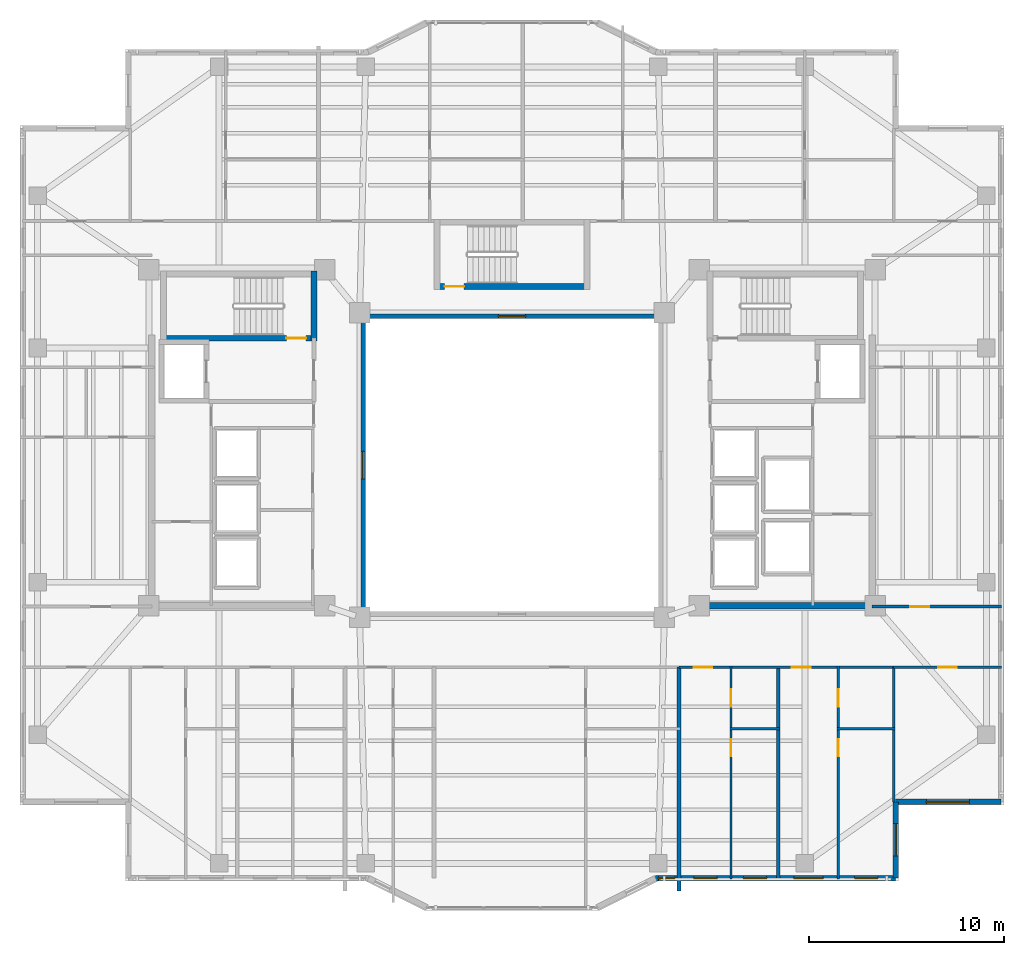
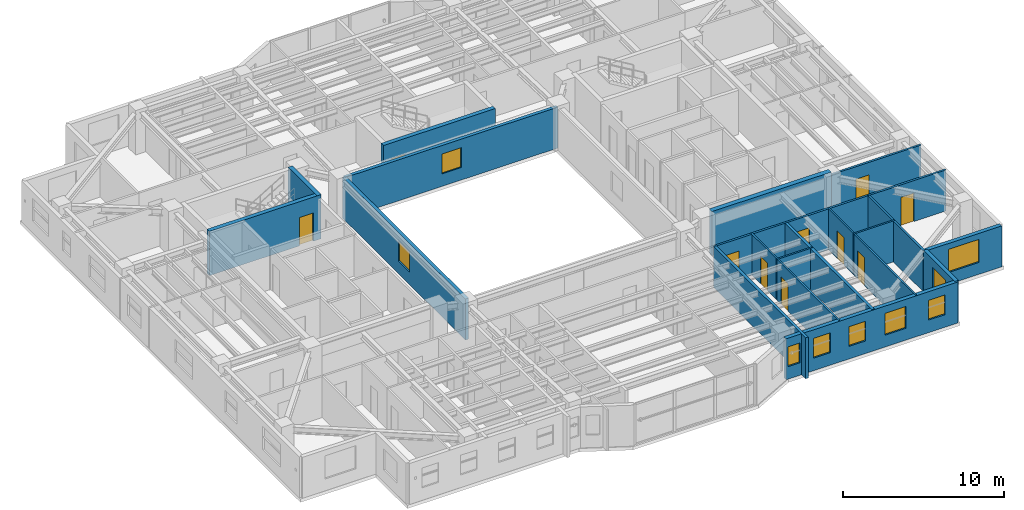
# One storey, part 8 of 16: 21 walls, 10 doors, 9 windows, 19 openings.
"""IFC4 building model written with IfcOpenShell, lengths in metres."""

from ifc_helpers import new_model, si_unit, direction, frame, frame_2d, origin, place, context, subcontext, project, spatial, rectangle, extrude, material, layer, layer_set, type_object, element, fill, save


model = new_model("IFC4")

# Units and contexts
model_context = context("Model", 3, precision=1e-05, world=origin(), true_north=direction((0.0, 1.0)))
body_context = subcontext(model_context, "Body", "Model", "MODEL_VIEW")
ifc_project = project(units=[si_unit("LENGTHUNIT", "METRE"), si_unit("AREAUNIT", "SQUARE_METRE"), si_unit("VOLUMEUNIT", "CUBIC_METRE"), si_unit("PLANEANGLEUNIT", "RADIAN"), si_unit("MASSUNIT", "GRAM", prefix="KILO")], contexts=[model_context])

# Site, building, storey
site_placement = place(None, origin())
site = spatial("IfcSite", under=ifc_project, at=site_placement, CompositionType="ELEMENT")
building_placement = place(site_placement, origin())
building = spatial("IfcBuilding", under=site, at=building_placement, Name="Tarnavaz Court Tower", CompositionType="ELEMENT")
storey_placement = place(building_placement, frame((0.0, 0.0, 166.10009765625)))
storey = spatial("IfcBuildingStorey", under=building, at=storey_placement, Name="L45", CompositionType="ELEMENT", Elevation=166.10009765625)

# Wall, opening, door
ifc_material_1 = material(Name="Concrete C50/60", Category="concrete")
ifc_layer_1 = layer(ifc_material_1, 0.300048828125)
ifc_layer_set_1 = layer_set([ifc_layer_1], Name="Concrete C50/60")
wall_type_1 = type_object("IfcWallType", Name="WL-CORE-300-C50", PredefinedType="SHEAR", material=ifc_layer_set_1)
wall_1_placement = place(storey_placement, frame((-18.0, 6.5, 0.0), z_axis=(0.0, 0.0, 1.0), x_axis=(1.0, 0.0, 0.0)))
wall_1 = element("IfcWall", 1, at=wall_1_placement, inside=storey, type_object=wall_type_1, Name="L45 West Stair Core Wall 002", PredefinedType="SHEAR", context=body_context, shape_type="SweptSolid", body=[
    extrude(rectangle(XDim=8.0, YDim=0.300048828125, at=frame_2d((4.0, 0.0))), origin(), (0.0, 0.0, 1.0), 3.349853515625),
])
opening_1_placement = place(wall_1_placement, frame((6.449951171875, 0.0, 0.0)))
opening_1 = element("IfcOpeningElement", 2, at=opening_1_placement, cuts=wall_1, Name="Opening D01", PredefinedType="OPENING", context=body_context, shape_type="SweptSolid", body=[
    extrude(rectangle(XDim=1.0, YDim=2.14990234375, at=frame_2d((0.5, 1.074951171875))), frame((0.0, 0.159912109375, 0.0), z_axis=(0.0, -1.0, 0.0), x_axis=(1.0, 0.0, 0.0)), (0.0, 0.0, 1.0), 0.320068359375),
])
ifc_material_2 = material(Name="Fire-Rated Hardwood Timber Core", Category="wood")
door_type_1 = type_object("IfcDoorType", Name="DR-FD90-1000", OperationType="NOTDEFINED", PredefinedType="DOOR", material=ifc_material_2)
door_1_placement = place(opening_1_placement, origin())
door_1 = element("IfcDoor", 3, at=door_1_placement, inside=storey, type_object=door_type_1, Name="L45 Stair ST-W1 Exit Door", OperationType="SINGLE_SWING_LEFT", OverallHeight=2.14990234375, OverallWidth=1.0, PredefinedType="DOOR", context=body_context, shape_type="SweptSolid", body=[
    extrude(rectangle(XDim=1.0, YDim=2.14990234375, at=frame_2d((0.5, 1.074951171875))), frame((0.0, 0.02490234375, 0.0), z_axis=(0.0, -1.0, 0.0), x_axis=(1.0, 0.0, 0.0)), (0.0, 0.0, 1.0), 0.050048828125),
])
fill(opening_1, door_1)

# Wall
wall_2_placement = place(storey_placement, frame((-10.14990234375, 6.35009765625, 0.0), z_axis=(0.0, 0.0, 1.0), x_axis=(0.0, 1.0, 0.0)))
element("IfcWall", 4, at=wall_2_placement, inside=storey, type_object=wall_type_1, Name="L45 West Stair Core Wall 004", PredefinedType="SHEAR", context=body_context, shape_type="SweptSolid", body=[
    extrude(rectangle(XDim=3.58984375, YDim=0.300048828125, at=frame_2d((1.794921875, 0.0))), origin(), (0.0, 0.0, 1.0), 3.349853515625),
])

# Wall, opening, door
wall_3_placement = place(storey_placement, frame((-4.0, 9.14990234375, 0.0), z_axis=(0.0, 0.0, 1.0), x_axis=(1.0, 0.0, 0.0)))
wall_3 = element("IfcWall", 5, at=wall_3_placement, inside=storey, type_object=wall_type_1, Name="L45 North Stair Core Wall 010", PredefinedType="SHEAR", context=body_context, shape_type="SweptSolid", body=[
    extrude(rectangle(XDim=8.0, YDim=0.300048828125, at=frame_2d((4.0, 0.0))), origin(), (0.0, 0.0, 1.0), 3.349853515625),
])
opening_2_placement = place(wall_3_placement, frame((0.550048828125, 0.0, 0.0)))
opening_2 = element("IfcOpeningElement", 6, at=opening_2_placement, cuts=wall_3, Name="Opening D01", PredefinedType="OPENING", context=body_context, shape_type="SweptSolid", body=[
    extrude(rectangle(XDim=1.0, YDim=2.14990234375, at=frame_2d((0.5, 1.074951171875))), frame((0.0, 0.159912109375, 0.0), z_axis=(0.0, -1.0, 0.0), x_axis=(1.0, 0.0, 0.0)), (0.0, 0.0, 1.0), 0.320068359375),
])
door_2_placement = place(opening_2_placement, origin())
door_2 = element("IfcDoor", 7, at=door_2_placement, inside=storey, type_object=door_type_1, Name="L45 Stair ST-N1 Exit Door", OperationType="SINGLE_SWING_LEFT", OverallHeight=2.14990234375, OverallWidth=1.0, PredefinedType="DOOR", context=body_context, shape_type="SweptSolid", body=[
    extrude(rectangle(XDim=1.0, YDim=2.14990234375, at=frame_2d((0.5, 1.074951171875))), frame((0.0, 0.02490234375, 0.0), z_axis=(0.0, -1.0, 0.0), x_axis=(1.0, 0.0, 0.0)), (0.0, 0.0, 1.0), 0.050048828125),
])
fill(opening_2, door_2)

# Wall
ifc_layer_2 = layer(ifc_material_1, 0.35009765625)
ifc_layer_set_2 = layer_set([ifc_layer_2], Name="Concrete C50/60")
wall_type_2 = type_object("IfcWallType", Name="WL-CORE-350-C50", PredefinedType="SHEAR", material=ifc_layer_set_2)
wall_4_placement = place(storey_placement, frame((10.074951171875, -7.199951171875, 0.0), z_axis=(0.0, 0.0, 1.0), x_axis=(1.0, 0.0, 0.0)))
element("IfcWall", 8, at=wall_4_placement, inside=storey, type_object=wall_type_2, Name="L45 East Core South Shear Wall 060", PredefinedType="SHEAR", context=body_context, shape_type="SweptSolid", body=[
    extrude(rectangle(XDim=8.550048828125, YDim=0.35009765625, at=frame_2d((4.27490234375, 0.0))), origin(), (0.0, 0.0, 1.0), 3.349853515625),
])

# Wall, opening, window
ifc_material_3 = material(Name="Precast Concrete C40/50", Category="concrete")
ifc_layer_3 = layer(ifc_material_3, 0.280029296875)
ifc_layer_set_3 = layer_set([ifc_layer_3], Name="Precast Concrete C40/50")
wall_type_3 = type_object("IfcWallType", Name="WL-EXT-280", PredefinedType="SOLIDWALL", material=ifc_layer_set_3)
wall_5_placement = place(storey_placement, frame((25.050048828125, -17.25, 0.0), z_axis=(0.0, 0.0, 1.0), x_axis=(-1.0, 0.0, 0.0)))
wall_5 = element("IfcWall", 9, at=wall_5_placement, inside=storey, type_object=wall_type_3, Name="L45 Exterior Terracotta Facade Wall 13", PredefinedType="SOLIDWALL", context=body_context, shape_type="SweptSolid", body=[
    extrude(rectangle(XDim=5.400146484375, YDim=0.280029296875, at=frame_2d((2.7001953125, 0.0))), origin(), (0.0, 0.0, 1.0), 3.099853515625),
])
opening_3_placement = place(wall_5_placement, frame((1.625, 0.0, 0.89990234375)))
opening_3 = element("IfcOpeningElement", 10, at=opening_3_placement, cuts=wall_5, Name="Opening W07", PredefinedType="OPENING", context=body_context, shape_type="SweptSolid", body=[
    extrude(rectangle(XDim=2.199951171875, YDim=1.75, at=frame_2d((1.10009765625, 0.875))), frame((0.0, 0.14990234375, 0.0), z_axis=(0.0, -1.0, 0.0), x_axis=(1.0, 0.0, 0.0)), (0.0, 0.0, 1.0), 0.300048828125),
])
ifc_material_4 = material(Name="Double-Glazed Solar Low-E Glass", Category="glass")
window_type_1 = type_object("IfcWindowType", Name="WN-APT-2200", PartitioningType="TRIPLE_PANEL_VERTICAL", PredefinedType="WINDOW", material=ifc_material_4)
window_1_placement = place(opening_3_placement, origin())
window_1 = element("IfcWindow", 11, at=window_1_placement, inside=storey, type_object=window_type_1, Name="L45 South-East Corner Reading Room Window", OverallHeight=1.75, OverallWidth=2.199951171875, PartitioningType="SINGLE_PANEL", PredefinedType="WINDOW", context=body_context, shape_type="SweptSolid", body=[
    extrude(rectangle(XDim=2.199951171875, YDim=1.75, at=frame_2d((1.10009765625, 0.875))), frame((0.0, 0.030029296875, 0.0), z_axis=(0.0, -1.0, 0.0), x_axis=(1.0, 0.0, 0.0)), (0.0, 0.0, 1.0), 0.06005859375),
])
fill(opening_3, window_1)

wall_6_placement = place(storey_placement, frame((19.64990234375, -17.25, 0.0), z_axis=(0.0, 0.0, 1.0), x_axis=(0.0, -1.0, 0.0)))
wall_6 = element("IfcWall", 12, at=wall_6_placement, inside=storey, type_object=wall_type_3, Name="L45 Exterior Terracotta Facade Wall 14", PredefinedType="SOLIDWALL", context=body_context, shape_type="SweptSolid", body=[
    extrude(rectangle(XDim=3.89990234375, YDim=0.280029296875, at=frame_2d((1.949951171875, 0.0))), origin(), (0.0, 0.0, 1.0), 3.099853515625),
])
opening_4_placement = place(wall_6_placement, frame((1.107177734375, 0.0, 0.89990234375)))
opening_4 = element("IfcOpeningElement", 13, at=opening_4_placement, cuts=wall_6, Name="Opening W02", PredefinedType="OPENING", context=body_context, shape_type="SweptSolid", body=[
    extrude(rectangle(XDim=1.64990234375, YDim=1.60009765625, at=frame_2d((0.824951171875, 0.800048828125))), frame((0.0, 0.14990234375, 0.0), z_axis=(0.0, -1.0, 0.0), x_axis=(1.0, 0.0, 0.0)), (0.0, 0.0, 1.0), 0.300048828125),
])
window_type_2 = type_object("IfcWindowType", Name="WN-APT-1650", PartitioningType="DOUBLE_PANEL_VERTICAL", PredefinedType="WINDOW", material=ifc_material_4)
window_2_placement = place(opening_4_placement, origin())
window_2 = element("IfcWindow", 14, at=window_2_placement, inside=storey, type_object=window_type_2, Name="L45 Flat 08 Kitchen Window", OverallHeight=1.60009765625, OverallWidth=1.64990234375, PartitioningType="SINGLE_PANEL", PredefinedType="WINDOW", context=body_context, shape_type="SweptSolid", body=[
    extrude(rectangle(XDim=1.64990234375, YDim=1.60009765625, at=frame_2d((0.824951171875, 0.800048828125))), frame((0.0, 0.030029296875, 0.0), z_axis=(0.0, -1.0, 0.0), x_axis=(1.0, 0.0, 0.0)), (0.0, 0.0, 1.0), 0.06005859375),
])
fill(opening_4, window_2)

# Wall, openings, windows
wall_7_placement = place(storey_placement, frame((19.64990234375, -21.14990234375, 0.0), z_axis=(0.0, 0.0, 1.0), x_axis=(-1.0, 0.0, 0.0)))
wall_7 = element("IfcWall", 15, at=wall_7_placement, inside=storey, type_object=wall_type_3, Name="L45 Exterior Terracotta Facade Wall 15", PredefinedType="SOLIDWALL", context=body_context, shape_type="SweptSolid", body=[
    extrude(rectangle(XDim=12.2998046875, YDim=0.280029296875, at=frame_2d((6.14990234375, 0.0))), origin(), (0.0, 0.0, 1.0), 3.099853515625),
])
opening_5_placement = place(wall_7_placement, frame((0.906005859375, 0.0, 0.949951171875)))
opening_5 = element("IfcOpeningElement", 16, at=opening_5_placement, cuts=wall_7, Name="Opening W05", PredefinedType="OPENING", context=body_context, shape_type="SweptSolid", body=[
    extrude(rectangle(XDim=1.199951171875, YDim=1.5, at=frame_2d((0.60009765625, 0.75))), frame((0.0, 0.14990234375, 0.0), z_axis=(0.0, -1.0, 0.0), x_axis=(1.0, 0.0, 0.0)), (0.0, 0.0, 1.0), 0.300048828125),
])
opening_6_placement = place(wall_7_placement, frame((3.71826171875, 0.0, 0.89990234375)))
opening_6 = element("IfcOpeningElement", 17, at=opening_6_placement, cuts=wall_7, Name="Opening W03", PredefinedType="OPENING", context=body_context, shape_type="SweptSolid", body=[
    extrude(rectangle(XDim=1.5, YDim=1.64990234375, at=frame_2d((0.75, 0.824951171875))), frame((0.0, 0.14990234375, 0.0), z_axis=(0.0, -1.0, 0.0), x_axis=(1.0, 0.0, 0.0)), (0.0, 0.0, 1.0), 0.300048828125),
])
opening_7_placement = place(wall_7_placement, frame((6.604248046875, 0.0, 0.949951171875)))
opening_7 = element("IfcOpeningElement", 18, at=opening_7_placement, cuts=wall_7, Name="Opening W05", PredefinedType="OPENING", context=body_context, shape_type="SweptSolid", body=[
    extrude(rectangle(XDim=1.199951171875, YDim=1.5, at=frame_2d((0.60009765625, 0.75))), frame((0.0, 0.14990234375, 0.0), z_axis=(0.0, -1.0, 0.0), x_axis=(1.0, 0.0, 0.0)), (0.0, 0.0, 1.0), 0.300048828125),
])
opening_8_placement = place(wall_7_placement, frame((9.1396484375, 0.0, 0.949951171875)))
opening_8 = element("IfcOpeningElement", 19, at=opening_8_placement, cuts=wall_7, Name="Opening W05", PredefinedType="OPENING", context=body_context, shape_type="SweptSolid", body=[
    extrude(rectangle(XDim=1.199951171875, YDim=1.5, at=frame_2d((0.60009765625, 0.75))), frame((0.0, 0.14990234375, 0.0), z_axis=(0.0, -1.0, 0.0), x_axis=(1.0, 0.0, 0.0)), (0.0, 0.0, 1.0), 0.300048828125),
])
opening_9_placement = place(wall_7_placement, frame((11.302978515625, 0.0, 0.949951171875)))
opening_9 = element("IfcOpeningElement", 20, at=opening_9_placement, cuts=wall_7, Name="Opening W15", PredefinedType="OPENING", context=body_context, shape_type="SweptSolid", body=[
    extrude(rectangle(XDim=0.85009765625, YDim=1.5, at=frame_2d((0.425048828125, 0.75))), frame((0.0, 0.14990234375, 0.0), z_axis=(0.0, -1.0, 0.0), x_axis=(1.0, 0.0, 0.0)), (0.0, 0.0, 1.0), 0.300048828125),
])
window_type_3 = type_object("IfcWindowType", Name="WN-APT-1200", PartitioningType="SINGLE_PANEL", PredefinedType="WINDOW", material=ifc_material_4)
window_3_placement = place(opening_5_placement, origin())
window_3 = element("IfcWindow", 21, at=window_3_placement, inside=storey, type_object=window_type_3, Name="L45 Flat 08 Kitchen Window", OverallHeight=1.5, OverallWidth=1.199951171875, PartitioningType="SINGLE_PANEL", PredefinedType="WINDOW", context=body_context, shape_type="SweptSolid", body=[
    extrude(rectangle(XDim=1.199951171875, YDim=1.5, at=frame_2d((0.60009765625, 0.75))), frame((0.0, 0.030029296875, 0.0), z_axis=(0.0, -1.0, 0.0), x_axis=(1.0, 0.0, 0.0)), (0.0, 0.0, 1.0), 0.06005859375),
])
fill(opening_5, window_3)
window_4_placement = place(opening_7_placement, origin())
window_4 = element("IfcWindow", 22, at=window_4_placement, inside=storey, type_object=window_type_3, Name="L45 Flat 07 Kitchen Window", OverallHeight=1.5, OverallWidth=1.199951171875, PartitioningType="SINGLE_PANEL", PredefinedType="WINDOW", context=body_context, shape_type="SweptSolid", body=[
    extrude(rectangle(XDim=1.199951171875, YDim=1.5, at=frame_2d((0.60009765625, 0.75))), frame((0.0, 0.030029296875, 0.0), z_axis=(0.0, -1.0, 0.0), x_axis=(1.0, 0.0, 0.0)), (0.0, 0.0, 1.0), 0.06005859375),
])
fill(opening_7, window_4)
window_5_placement = place(opening_8_placement, origin())
window_5 = element("IfcWindow", 23, at=window_5_placement, inside=storey, type_object=window_type_3, Name="L45 Flat 07 Studio Living and Sleeping Room Window", OverallHeight=1.5, OverallWidth=1.199951171875, PartitioningType="SINGLE_PANEL", PredefinedType="WINDOW", context=body_context, shape_type="SweptSolid", body=[
    extrude(rectangle(XDim=1.199951171875, YDim=1.5, at=frame_2d((0.60009765625, 0.75))), frame((0.0, 0.030029296875, 0.0), z_axis=(0.0, -1.0, 0.0), x_axis=(1.0, 0.0, 0.0)), (0.0, 0.0, 1.0), 0.06005859375),
])
fill(opening_8, window_5)
window_type_4 = type_object("IfcWindowType", Name="WN-APT-1500", PartitioningType="DOUBLE_PANEL_VERTICAL", PredefinedType="WINDOW", material=ifc_material_4)
window_6_placement = place(opening_6_placement, origin())
window_6 = element("IfcWindow", 24, at=window_6_placement, inside=storey, type_object=window_type_4, Name="L45 Flat 08 Studio Living and Sleeping Room Window", OverallHeight=1.64990234375, OverallWidth=1.5, PartitioningType="SINGLE_PANEL", PredefinedType="WINDOW", context=body_context, shape_type="SweptSolid", body=[
    extrude(rectangle(XDim=1.5, YDim=1.64990234375, at=frame_2d((0.75, 0.824951171875))), frame((0.0, 0.030029296875, 0.0), z_axis=(0.0, -1.0, 0.0), x_axis=(1.0, 0.0, 0.0)), (0.0, 0.0, 1.0), 0.06005859375),
])
fill(opening_6, window_6)
window_type_5 = type_object("IfcWindowType", Name="WN-APT-850", PartitioningType="SINGLE_PANEL", PredefinedType="WINDOW", material=ifc_material_4)
window_7_placement = place(opening_9_placement, origin())
window_7 = element("IfcWindow", 25, at=window_7_placement, inside=storey, type_object=window_type_5, Name="L45 Flat 10 Kitchen Window", OverallHeight=1.5, OverallWidth=0.85009765625, PartitioningType="SINGLE_PANEL", PredefinedType="WINDOW", context=body_context, shape_type="SweptSolid", body=[
    extrude(rectangle(XDim=0.85009765625, YDim=1.5, at=frame_2d((0.425048828125, 0.75))), frame((0.0, 0.030029296875, 0.0), z_axis=(0.0, -1.0, 0.0), x_axis=(1.0, 0.0, 0.0)), (0.0, 0.0, 1.0), 0.06005859375),
])
fill(opening_9, window_7)

# Wall, openings, doors
ifc_material_5 = material(Name="Gypsum Fire-Board on Acoustic Metal Stud", Category="masonry")
ifc_layer_4 = layer(ifc_material_5, 0.14990234375)
ifc_layer_set_4 = layer_set([ifc_layer_4], Name="Gypsum Fire-Board on Acoustic Metal Stud")
wall_type_4 = type_object("IfcWallType", Name="WL-FIRE-150", PredefinedType="PARTITIONING", material=ifc_layer_set_4)
wall_8_placement = place(storey_placement, frame((8.550048828125, -10.35009765625, 0.0), z_axis=(0.0, 0.0, 1.0), x_axis=(1.0, 0.0, 0.0)))
wall_8 = element("IfcWall", 26, at=wall_8_placement, inside=storey, type_object=wall_type_4, Name="L45 SE Horseshoe Wall 074", PredefinedType="PARTITIONING", context=body_context, shape_type="SweptSolid", body=[
    extrude(rectangle(XDim=11.0, YDim=0.14990234375, at=frame_2d((5.5, 0.0))), origin(), (0.0, 0.0, 1.0), 3.099853515625),
])
opening_10_placement = place(wall_8_placement, frame((0.75, 0.0, 0.0)))
opening_10 = element("IfcOpeningElement", 27, at=opening_10_placement, cuts=wall_8, Name="Opening D06", PredefinedType="OPENING", context=body_context, shape_type="SweptSolid", body=[
    extrude(rectangle(XDim=0.9599609375, YDim=2.14990234375, at=frame_2d((0.47998046875, 1.074951171875))), frame((0.0, 0.0849609375, 0.0), z_axis=(0.0, -1.0, 0.0), x_axis=(1.0, 0.0, 0.0)), (0.0, 0.0, 1.0), 0.169921875),
])
opening_11_placement = place(wall_8_placement, frame((5.787109375, 0.0, 0.0)))
opening_11 = element("IfcOpeningElement", 28, at=opening_11_placement, cuts=wall_8, Name="Opening D06", PredefinedType="OPENING", context=body_context, shape_type="SweptSolid", body=[
    extrude(rectangle(XDim=0.9599609375, YDim=2.14990234375, at=frame_2d((0.47998046875, 1.074951171875))), frame((0.0, 0.0849609375, 0.0), z_axis=(0.0, -1.0, 0.0), x_axis=(1.0, 0.0, 0.0)), (0.0, 0.0, 1.0), 0.169921875),
])
door_type_2 = type_object("IfcDoorType", Name="DR-FD60-950", OperationType="NOTDEFINED", PredefinedType="DOOR", material=ifc_material_2)
door_3_placement = place(opening_10_placement, origin())
door_3 = element("IfcDoor", 29, at=door_3_placement, inside=storey, type_object=door_type_2, Name="L45 Flat 07 Entrance Door", OperationType="SINGLE_SWING_LEFT", OverallHeight=2.14990234375, OverallWidth=0.9599609375, PredefinedType="DOOR", context=body_context, shape_type="SweptSolid", body=[
    extrude(rectangle(XDim=0.9599609375, YDim=2.14990234375, at=frame_2d((0.47998046875, 1.074951171875))), frame((0.0, 0.02490234375, 0.0), z_axis=(0.0, -1.0, 0.0), x_axis=(1.0, 0.0, 0.0)), (0.0, 0.0, 1.0), 0.050048828125),
])
fill(opening_10, door_3)
door_4_placement = place(opening_11_placement, origin())
door_4 = element("IfcDoor", 30, at=door_4_placement, inside=storey, type_object=door_type_2, Name="L45 Flat 08 Entrance Door", OperationType="SINGLE_SWING_RIGHT", OverallHeight=2.14990234375, OverallWidth=0.9599609375, PredefinedType="DOOR", context=body_context, shape_type="SweptSolid", body=[
    extrude(rectangle(XDim=0.9599609375, YDim=2.14990234375, at=frame_2d((0.47998046875, 1.074951171875))), frame((0.0, 0.02490234375, 0.0), z_axis=(0.0, -1.0, 0.0), x_axis=(1.0, 0.0, 0.0)), (0.0, 0.0, 1.0), 0.050048828125),
])
fill(opening_11, door_4)

# Wall, opening, door
wall_9_placement = place(storey_placement, frame((18.449951171875, -7.25, 0.0), z_axis=(0.0, 0.0, 1.0), x_axis=(1.0, 0.0, 0.0)))
wall_9 = element("IfcWall", 31, at=wall_9_placement, inside=storey, type_object=wall_type_4, Name="L45 Interior Partition 116", PredefinedType="PARTITIONING", context=body_context, shape_type="SweptSolid", body=[
    extrude(rectangle(XDim=6.630126953125, YDim=0.14990234375, at=frame_2d((3.31494140625, 0.0))), origin(), (0.0, 0.0, 1.0), 3.099853515625),
])
opening_12_placement = place(wall_9_placement, frame((1.949951171875, 0.0, 0.0)))
opening_12 = element("IfcOpeningElement", 32, at=opening_12_placement, cuts=wall_9, Name="Opening D06", PredefinedType="OPENING", context=body_context, shape_type="SweptSolid", body=[
    extrude(rectangle(XDim=0.9599609375, YDim=2.14990234375, at=frame_2d((0.47998046875, 1.074951171875))), frame((0.0, 0.0849609375, 0.0), z_axis=(0.0, -1.0, 0.0), x_axis=(1.0, 0.0, 0.0)), (0.0, 0.0, 1.0), 0.169921875),
])
door_5_placement = place(opening_12_placement, origin())
door_5 = element("IfcDoor", 33, at=door_5_placement, inside=storey, type_object=door_type_2, Name="L45 Flat 12 Entrance Door", OperationType="SINGLE_SWING_LEFT", OverallHeight=2.14990234375, OverallWidth=0.9599609375, PredefinedType="DOOR", context=body_context, shape_type="SweptSolid", body=[
    extrude(rectangle(XDim=0.9599609375, YDim=2.14990234375, at=frame_2d((0.47998046875, 1.074951171875))), frame((0.0, 0.02490234375, 0.0), z_axis=(0.0, -1.0, 0.0), x_axis=(1.0, 0.0, 0.0)), (0.0, 0.0, 1.0), 0.050048828125),
])
fill(opening_12, door_5)

wall_10_placement = place(storey_placement, frame((19.550048828125, -10.35009765625, 0.0), z_axis=(0.0, 0.0, 1.0), x_axis=(1.0, 0.0, 0.0)))
wall_10 = element("IfcWall", 34, at=wall_10_placement, inside=storey, type_object=wall_type_4, Name="L45 Interior Partition 125", PredefinedType="PARTITIONING", context=body_context, shape_type="SweptSolid", body=[
    extrude(rectangle(XDim=5.530029296875, YDim=0.14990234375, at=frame_2d((2.76513671875, 0.0))), origin(), (0.0, 0.0, 1.0), 3.099853515625),
])
opening_13_placement = place(wall_10_placement, frame((2.2900390625, 0.0, 0.0)))
opening_13 = element("IfcOpeningElement", 35, at=opening_13_placement, cuts=wall_10, Name="Opening D13", PredefinedType="OPENING", context=body_context, shape_type="SweptSolid", body=[
    extrude(rectangle(XDim=0.949951171875, YDim=2.14990234375, at=frame_2d((0.47509765625, 1.074951171875))), frame((0.0, 0.0849609375, 0.0), z_axis=(0.0, -1.0, 0.0), x_axis=(1.0, 0.0, 0.0)), (0.0, 0.0, 1.0), 0.169921875),
])
ifc_material_6 = material(Name="Engineered Oak Timber", Category="wood")
door_type_3 = type_object("IfcDoorType", Name="DR-INT-950", OperationType="NOTDEFINED", PredefinedType="DOOR", material=ifc_material_6)
door_6_placement = place(opening_13_placement, origin())
door_6 = element("IfcDoor", 36, at=door_6_placement, inside=storey, type_object=door_type_3, Name="L45 SE Reading Room Door", OperationType="SINGLE_SWING_RIGHT", OverallHeight=2.14990234375, OverallWidth=0.949951171875, PredefinedType="DOOR", context=body_context, shape_type="SweptSolid", body=[
    extrude(rectangle(XDim=0.949951171875, YDim=2.14990234375, at=frame_2d((0.47509765625, 1.074951171875))), frame((0.0, 0.02490234375, 0.0), z_axis=(0.0, -1.0, 0.0), x_axis=(1.0, 0.0, 0.0)), (0.0, 0.0, 1.0), 0.050048828125),
])
fill(opening_13, door_6)

# Walls
ifc_material_7 = material(Name="Autoclaved Aerated Concrete Blockwork", Category="masonry")
ifc_layer_5 = layer(ifc_material_7, 0.199951171875)
ifc_layer_set_5 = layer_set([ifc_layer_5], Name="Autoclaved Aerated Concrete Blockwork")
wall_type_5 = type_object("IfcWallType", Name="WL-FIRE-200", PredefinedType="SOLIDWALL", material=ifc_layer_set_5)
wall_11_placement = place(storey_placement, frame((13.636962890625, -21.199951171875, 0.0), z_axis=(0.0, 0.0, 1.0), x_axis=(0.0, 1.0, 0.0)))
element("IfcWall", 37, at=wall_11_placement, inside=storey, type_object=wall_type_5, Name="L45 Party Wall 097", PredefinedType="SOLIDWALL", context=body_context, shape_type="SweptSolid", body=[
    extrude(rectangle(XDim=10.849853515625, YDim=0.199951171875, at=frame_2d((5.4248046875, 0.0))), origin(), (0.0, 0.0, 1.0), 3.099853515625),
])
wall_12_placement = place(storey_placement, frame((8.550048828125, -21.803955078125, 0.0), z_axis=(0.0, 0.0, 1.0), x_axis=(0.0, 1.0, 0.0)))
element("IfcWall", 38, at=wall_12_placement, inside=storey, type_object=wall_type_5, Name="L45 Party Wall 105", PredefinedType="SOLIDWALL", context=body_context, shape_type="SweptSolid", body=[
    extrude(rectangle(XDim=11.453857421875, YDim=0.199951171875, at=frame_2d((5.72705078125, 0.0))), origin(), (0.0, 0.0, 1.0), 3.099853515625),
])

# Wall, opening, door
ifc_material_8 = material(Name="Moisture-Resistant Gypsum Board Partition", Category="masonry")
ifc_layer_6 = layer(ifc_material_8, 0.1201171875)
ifc_layer_set_6 = layer_set([ifc_layer_6], Name="Moisture-Resistant Gypsum Board Partition")
wall_type_6 = type_object("IfcWallType", Name="WL-PART-120", PredefinedType="PARTITIONING", material=ifc_layer_set_6)
wall_13_placement = place(storey_placement, frame((11.217041015625, -21.199951171875, 0.0), z_axis=(0.0, 0.0, 1.0), x_axis=(0.0, 1.0, 0.0)))
wall_13 = element("IfcWall", 39, at=wall_13_placement, inside=storey, type_object=wall_type_6, Name="L45 Interior Partition 098", PredefinedType="PARTITIONING", context=body_context, shape_type="SweptSolid", body=[
    extrude(rectangle(XDim=7.68994140625, YDim=0.1201171875, at=frame_2d((3.844970703125, 0.0))), origin(), (0.0, 0.0, 1.0), 3.099853515625),
])
opening_14_placement = place(wall_13_placement, frame((6.2900390625, 0.0, 0.0)))
opening_14 = element("IfcOpeningElement", 40, at=opening_14_placement, cuts=wall_13, Name="Opening D14", PredefinedType="OPENING", context=body_context, shape_type="SweptSolid", body=[
    extrude(rectangle(XDim=0.8798828125, YDim=2.10009765625, at=frame_2d((0.43994140625, 1.050048828125))), frame((0.0, 0.070068359375, 0.0), z_axis=(0.0, -1.0, 0.0), x_axis=(1.0, 0.0, 0.0)), (0.0, 0.0, 1.0), 0.14013671875),
])
door_type_4 = type_object("IfcDoorType", Name="DR-INT-900", OperationType="NOTDEFINED", PredefinedType="DOOR", material=ifc_material_6)
door_7_placement = place(opening_14_placement, origin())
door_7 = element("IfcDoor", 41, at=door_7_placement, inside=storey, type_object=door_type_4, Name="L45 Flat 07 Kitchen Door", OperationType="SINGLE_SWING_RIGHT", OverallHeight=2.10009765625, OverallWidth=0.8798828125, PredefinedType="DOOR", context=body_context, shape_type="SweptSolid", body=[
    extrude(rectangle(XDim=0.8798828125, YDim=2.10009765625, at=frame_2d((0.43994140625, 1.050048828125))), frame((0.0, 0.02490234375, 0.0), z_axis=(0.0, -1.0, 0.0), x_axis=(1.0, 0.0, 0.0)), (0.0, 0.0, 1.0), 0.050048828125),
])
fill(opening_14, door_7)

wall_14_placement = place(storey_placement, frame((11.217041015625, -13.510009765625, 0.0), z_axis=(0.0, 0.0, 1.0), x_axis=(0.0, 1.0, 0.0)))
wall_14 = element("IfcWall", 42, at=wall_14_placement, inside=storey, type_object=wall_type_6, Name="L45 Interior Partition 099", PredefinedType="PARTITIONING", context=body_context, shape_type="SweptSolid", body=[
    extrude(rectangle(XDim=3.219970703125, YDim=0.1201171875, at=frame_2d((1.60986328125, 0.0))), origin(), (0.0, 0.0, 1.0), 3.099853515625),
])
opening_15_placement = place(wall_14_placement, frame((1.139892578125, 0.0, 0.0)))
opening_15 = element("IfcOpeningElement", 43, at=opening_15_placement, cuts=wall_14, Name="Opening D14", PredefinedType="OPENING", context=body_context, shape_type="SweptSolid", body=[
    extrude(rectangle(XDim=0.8798828125, YDim=2.10009765625, at=frame_2d((0.43994140625, 1.050048828125))), frame((0.0, 0.070068359375, 0.0), z_axis=(0.0, -1.0, 0.0), x_axis=(1.0, 0.0, 0.0)), (0.0, 0.0, 1.0), 0.14013671875),
])
door_8_placement = place(opening_15_placement, origin())
door_8 = element("IfcDoor", 44, at=door_8_placement, inside=storey, type_object=door_type_4, Name="L45 Flat 07 Bathroom Door", OperationType="SINGLE_SWING_LEFT", OverallHeight=2.10009765625, OverallWidth=0.8798828125, PredefinedType="DOOR", context=body_context, shape_type="SweptSolid", body=[
    extrude(rectangle(XDim=0.8798828125, YDim=2.10009765625, at=frame_2d((0.43994140625, 1.050048828125))), frame((0.0, 0.02490234375, 0.0), z_axis=(0.0, -1.0, 0.0), x_axis=(1.0, 0.0, 0.0)), (0.0, 0.0, 1.0), 0.050048828125),
])
fill(opening_15, door_8)

# Wall
wall_15_placement = place(storey_placement, frame((11.156982421875, -13.510009765625, 0.0), z_axis=(0.0, 0.0, 1.0), x_axis=(1.0, 0.0, 0.0)))
element("IfcWall", 45, at=wall_15_placement, inside=storey, type_object=wall_type_6, Name="L45 Interior Partition 100", PredefinedType="PARTITIONING", context=body_context, shape_type="SweptSolid", body=[
    extrude(rectangle(XDim=2.5400390625, YDim=0.1201171875, at=frame_2d((1.27001953125, 0.0))), origin(), (0.0, 0.0, 1.0), 3.099853515625),
])

# Wall, opening, door
wall_16_placement = place(storey_placement, frame((16.708984375, -21.199951171875, 0.0), z_axis=(0.0, 0.0, 1.0), x_axis=(0.0, 1.0, 0.0)))
wall_16 = element("IfcWall", 46, at=wall_16_placement, inside=storey, type_object=wall_type_6, Name="L45 Interior Partition 101", PredefinedType="PARTITIONING", context=body_context, shape_type="SweptSolid", body=[
    extrude(rectangle(XDim=7.68994140625, YDim=0.1201171875, at=frame_2d((3.844970703125, 0.0))), origin(), (0.0, 0.0, 1.0), 3.099853515625),
])
opening_16_placement = place(wall_16_placement, frame((6.2900390625, 0.0, 0.0)))
opening_16 = element("IfcOpeningElement", 47, at=opening_16_placement, cuts=wall_16, Name="Opening D14", PredefinedType="OPENING", context=body_context, shape_type="SweptSolid", body=[
    extrude(rectangle(XDim=0.8798828125, YDim=2.10009765625, at=frame_2d((0.43994140625, 1.050048828125))), frame((0.0, 0.070068359375, 0.0), z_axis=(0.0, -1.0, 0.0), x_axis=(1.0, 0.0, 0.0)), (0.0, 0.0, 1.0), 0.14013671875),
])
door_9_placement = place(opening_16_placement, origin())
door_9 = element("IfcDoor", 48, at=door_9_placement, inside=storey, type_object=door_type_4, Name="L45 Flat 08 Kitchen Door", OperationType="SINGLE_SWING_LEFT", OverallHeight=2.10009765625, OverallWidth=0.8798828125, PredefinedType="DOOR", context=body_context, shape_type="SweptSolid", body=[
    extrude(rectangle(XDim=0.8798828125, YDim=2.10009765625, at=frame_2d((0.43994140625, 1.050048828125))), frame((0.0, 0.02490234375, 0.0), z_axis=(0.0, -1.0, 0.0), x_axis=(1.0, 0.0, 0.0)), (0.0, 0.0, 1.0), 0.050048828125),
])
fill(opening_16, door_9)

wall_17_placement = place(storey_placement, frame((16.708984375, -13.510009765625, 0.0), z_axis=(0.0, 0.0, 1.0), x_axis=(0.0, 1.0, 0.0)))
wall_17 = element("IfcWall", 49, at=wall_17_placement, inside=storey, type_object=wall_type_6, Name="L45 Interior Partition 102", PredefinedType="PARTITIONING", context=body_context, shape_type="SweptSolid", body=[
    extrude(rectangle(XDim=3.219970703125, YDim=0.1201171875, at=frame_2d((1.60986328125, 0.0))), origin(), (0.0, 0.0, 1.0), 3.099853515625),
])
opening_17_placement = place(wall_17_placement, frame((1.139892578125, 0.0, 0.0)))
opening_17 = element("IfcOpeningElement", 50, at=opening_17_placement, cuts=wall_17, Name="Opening D14", PredefinedType="OPENING", context=body_context, shape_type="SweptSolid", body=[
    extrude(rectangle(XDim=0.8798828125, YDim=2.10009765625, at=frame_2d((0.43994140625, 1.050048828125))), frame((0.0, 0.070068359375, 0.0), z_axis=(0.0, -1.0, 0.0), x_axis=(1.0, 0.0, 0.0)), (0.0, 0.0, 1.0), 0.14013671875),
])
door_10_placement = place(opening_17_placement, origin())
door_10 = element("IfcDoor", 51, at=door_10_placement, inside=storey, type_object=door_type_4, Name="L45 Flat 08 Bathroom Door", OperationType="SINGLE_SWING_RIGHT", OverallHeight=2.10009765625, OverallWidth=0.8798828125, PredefinedType="DOOR", context=body_context, shape_type="SweptSolid", body=[
    extrude(rectangle(XDim=0.8798828125, YDim=2.10009765625, at=frame_2d((0.43994140625, 1.050048828125))), frame((0.0, 0.02490234375, 0.0), z_axis=(0.0, -1.0, 0.0), x_axis=(1.0, 0.0, 0.0)), (0.0, 0.0, 1.0), 0.050048828125),
])
fill(opening_17, door_10)

# Walls
wall_18_placement = place(storey_placement, frame((16.64892578125, -13.510009765625, 0.0), z_axis=(0.0, 0.0, 1.0), x_axis=(1.0, 0.0, 0.0)))
element("IfcWall", 52, at=wall_18_placement, inside=storey, type_object=wall_type_6, Name="L45 Interior Partition 103", PredefinedType="PARTITIONING", context=body_context, shape_type="SweptSolid", body=[
    extrude(rectangle(XDim=2.961181640625, YDim=0.1201171875, at=frame_2d((1.48046875, 0.0))), origin(), (0.0, 0.0, 1.0), 3.099853515625),
])
ifc_material_9 = material(Name="Gypsum Plasterboard Acoustic Partition", Category="masonry")
ifc_layer_7 = layer(ifc_material_9, 0.139892578125)
ifc_layer_set_7 = layer_set([ifc_layer_7], Name="Gypsum Plasterboard Acoustic Partition")
wall_type_7 = type_object("IfcWallType", Name="WL-PART-150", PredefinedType="PARTITIONING", material=ifc_layer_set_7)
wall_19_placement = place(storey_placement, frame((19.550048828125, -17.25, 0.0), z_axis=(0.0, 0.0, 1.0), x_axis=(0.0, 1.0, 0.0)))
element("IfcWall", 53, at=wall_19_placement, inside=storey, type_object=wall_type_7, Name="L45 Interior Partition 119", PredefinedType="PARTITIONING", context=body_context, shape_type="SweptSolid", body=[
    extrude(rectangle(XDim=6.89990234375, YDim=0.139892578125, at=frame_2d((3.449951171875, 0.0))), origin(), (0.0, 0.0, 1.0), 3.099853515625),
])

# Wall, opening, window
ifc_layer_8 = layer(ifc_material_3, 0.239990234375)
ifc_layer_set_8 = layer_set([ifc_layer_8], Name="Precast Concrete C40/50")
wall_type_8 = type_object("IfcWallType", Name="WL-WELL-240", PredefinedType="SOLIDWALL", material=ifc_layer_set_8)
wall_20_placement = place(storey_placement, frame((7.6201171875, 7.6201171875, 0.0), z_axis=(0.0, 0.0, 1.0), x_axis=(-1.0, 0.0, 0.0)))
wall_20 = element("IfcWall", 54, at=wall_20_placement, inside=storey, type_object=wall_type_8, Name="L45 Badgir Light-Well Exterior Wall N", PredefinedType="SOLIDWALL", context=body_context, shape_type="SweptSolid", body=[
    extrude(rectangle(XDim=15.240234375, YDim=0.239990234375, at=frame_2d((7.6201171875, 0.0))), origin(), (0.0, 0.0, 1.0), 3.099853515625),
])
opening_18_placement = place(wall_20_placement, frame((6.919921875, 0.0, 0.949951171875)))
opening_18 = element("IfcOpeningElement", 55, at=opening_18_placement, cuts=wall_20, Name="Opening W13", PredefinedType="OPENING", context=body_context, shape_type="SweptSolid", body=[
    extrude(rectangle(XDim=1.39990234375, YDim=1.5, at=frame_2d((0.699951171875, 0.75))), frame((0.0, 0.1298828125, 0.0), z_axis=(0.0, -1.0, 0.0), x_axis=(1.0, 0.0, 0.0)), (0.0, 0.0, 1.0), 0.260009765625),
])
window_type_6 = type_object("IfcWindowType", Name="WN-WEL-1400", PartitioningType="SINGLE_PANEL", PredefinedType="WINDOW", material=ifc_material_4)
window_8_placement = place(opening_18_placement, origin())
window_8 = element("IfcWindow", 56, at=window_8_placement, inside=storey, type_object=window_type_6, Name="L45 Courtyard Gallery Window N", OverallHeight=1.5, OverallWidth=1.39990234375, PartitioningType="SINGLE_PANEL", PredefinedType="WINDOW", context=body_context, shape_type="SweptSolid", body=[
    extrude(rectangle(XDim=1.39990234375, YDim=1.5, at=frame_2d((0.699951171875, 0.75))), frame((0.0, 0.030029296875, 0.0), z_axis=(0.0, -1.0, 0.0), x_axis=(1.0, 0.0, 0.0)), (0.0, 0.0, 1.0), 0.06005859375),
])
fill(opening_18, window_8)

wall_21_placement = place(storey_placement, frame((-7.6201171875, 7.6201171875, 0.0), z_axis=(0.0, 0.0, 1.0), x_axis=(0.0, -1.0, 0.0)))
wall_21 = element("IfcWall", 57, at=wall_21_placement, inside=storey, type_object=wall_type_8, Name="L45 Badgir Light-Well Exterior Wall W", PredefinedType="SOLIDWALL", context=body_context, shape_type="SweptSolid", body=[
    extrude(rectangle(XDim=15.240234375, YDim=0.239990234375, at=frame_2d((7.6201171875, 0.0))), origin(), (0.0, 0.0, 1.0), 3.099853515625),
])
opening_19_placement = place(wall_21_placement, frame((6.919921875, 0.0, 0.949951171875)))
opening_19 = element("IfcOpeningElement", 58, at=opening_19_placement, cuts=wall_21, Name="Opening W13", PredefinedType="OPENING", context=body_context, shape_type="SweptSolid", body=[
    extrude(rectangle(XDim=1.39990234375, YDim=1.5, at=frame_2d((0.699951171875, 0.75))), frame((0.0, 0.1298828125, 0.0), z_axis=(0.0, -1.0, 0.0), x_axis=(1.0, 0.0, 0.0)), (0.0, 0.0, 1.0), 0.260009765625),
])
window_9_placement = place(opening_19_placement, origin())
window_9 = element("IfcWindow", 59, at=window_9_placement, inside=storey, type_object=window_type_6, Name="L45 Courtyard Gallery Window W", OverallHeight=1.5, OverallWidth=1.39990234375, PartitioningType="SINGLE_PANEL", PredefinedType="WINDOW", context=body_context, shape_type="SweptSolid", body=[
    extrude(rectangle(XDim=1.39990234375, YDim=1.5, at=frame_2d((0.699951171875, 0.75))), frame((0.0, 0.030029296875, 0.0), z_axis=(0.0, -1.0, 0.0), x_axis=(1.0, 0.0, 0.0)), (0.0, 0.0, 1.0), 0.06005859375),
])
fill(opening_19, window_9)

save(model, "model.ifc")
